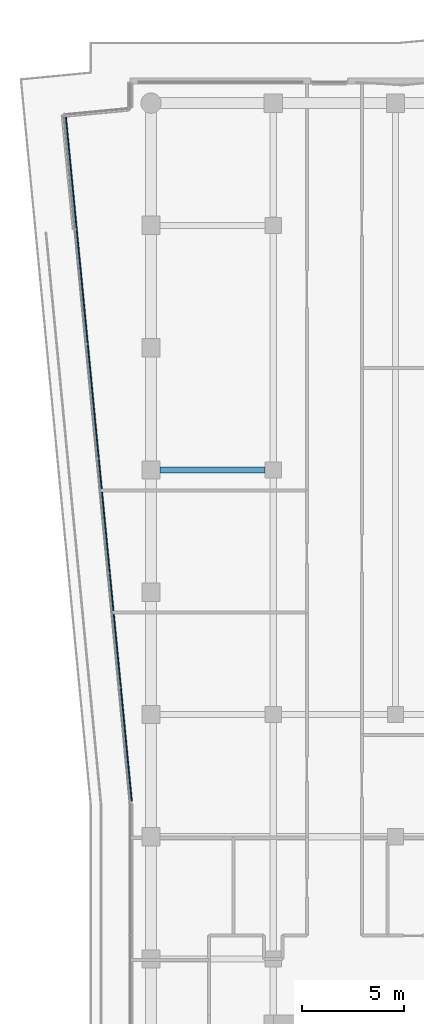
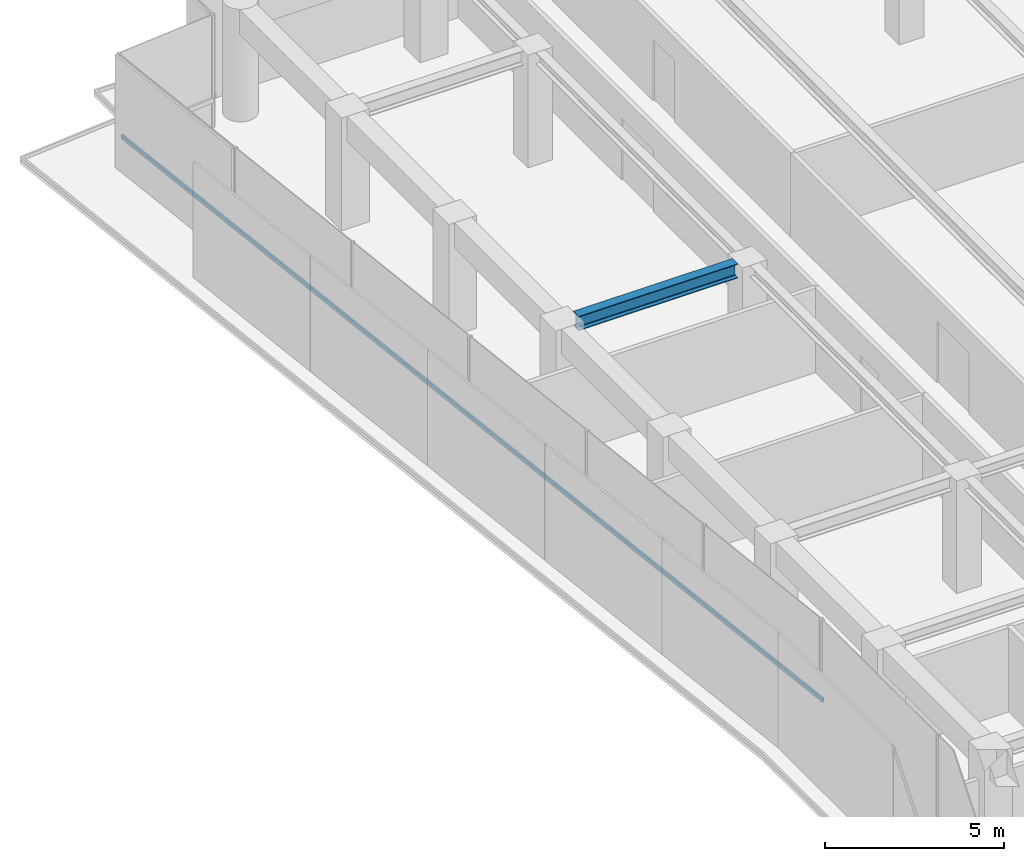
# One storey, part 10 of 23: 1 beam, 1 member, 1 element without a shape of its own.
"""IFC4 building model written with IfcOpenShell, lengths in metres."""

from ifc_helpers import new_model, si_unit, direction, frame, origin, origin_2d, place, context, subcontext, project, spatial, rectangle, i_section, extrude, material, layer, layer_set, material_profile, profile_set, type_object, element, aggregate, save


model = new_model("IFC4")

# Units and contexts
model_context = context("Model", 3, precision=1e-05, world=origin(), true_north=direction((0.0, 1.0)))
body_context = subcontext(model_context, "Body", "Model", "MODEL_VIEW")
ifc_project = project(units=[si_unit("LENGTHUNIT", "METRE"), si_unit("AREAUNIT", "SQUARE_METRE"), si_unit("VOLUMEUNIT", "CUBIC_METRE"), si_unit("PLANEANGLEUNIT", "RADIAN"), si_unit("MASSUNIT", "GRAM", prefix="KILO")], contexts=[model_context])

# Site, building, storey
site_placement = place(None, origin())
site = spatial("IfcSite", under=ifc_project, at=site_placement, CompositionType="ELEMENT")
building_placement = place(site_placement, origin())
building = spatial("IfcBuilding", under=site, at=building_placement, Name="Welwitschia Terrace Campus", CompositionType="ELEMENT")
storey_placement = place(building_placement, frame((0.0, 0.0, 205.39990234375)))
storey = spatial("IfcBuildingStorey", under=building, at=storey_placement, Name="L45", CompositionType="ELEMENT", Elevation=205.39990234375)

# Beam
ifc_material_1 = material(Name="Steel S355", Category="steel")
ifc_material_profile_1 = material_profile(ifc_material_1, i_section(OverallWidth=0.300048828125, OverallDepth=0.489990234375, WebThickness=0.011962890625, FlangeThickness=0.02294921875, FilletRadius=0.027099609375, at=origin_2d()))
ifc_profile_set_1 = profile_set([ifc_material_profile_1], Name="Steel S355")
beam_type = type_object("IfcBeamType", Name="Primary beam HE 500 A", PredefinedType="BEAM", material=ifc_profile_set_1)
beam_placement = place(storey_placement, frame((0.450439453125, 52.0, 3.60498046875), z_axis=(1.0, 0.0, 0.0), x_axis=(0.0, 1.0, 0.0)))
element("IfcBeam", 1, at=beam_placement, inside=storey, type_object=beam_type, Name="Primary beam PB5", PredefinedType="BEAM", context=body_context, shape_type="SweptSolid", body=[
    extrude(i_section(OverallWidth=0.300048828125, OverallDepth=0.489990234375, WebThickness=0.011962890625, FlangeThickness=0.02294921875, FilletRadius=0.027099609375, at=origin_2d()), origin(), (0.0, 0.0, 1.0), 5.149169921875),
])

# Curtain wall, member
ifc_material_2 = material(Name="Bronze anodised aluminium", Category="aluminium")
ifc_layer = layer(ifc_material_2, 0.1201171875)
ifc_layer_set = layer_set([ifc_layer], Name="Bronze anodised aluminium")
curtain_wall_type = type_object("IfcCurtainWallType", Name="Curtain wall CW2 tower 6000", PredefinedType="NOTDEFINED", material=ifc_layer_set)
curtain_wall_placement = place(storey_placement, origin())
curtain_wall = element("IfcCurtainWall", 2, at=curtain_wall_placement, inside=storey, type_object=curtain_wall_type, Name="CW L45.11.0", PredefinedType="NOTDEFINED")
ifc_material_3 = material(Name="Bronze anodised aluminium", Category="aluminium")
ifc_material_profile_2 = material_profile(ifc_material_3, rectangle(XDim=0.06005859375, YDim=0.14990234375, at=origin_2d()))
ifc_profile_set_2 = profile_set([ifc_material_profile_2], Name="Bronze anodised aluminium")
member_type = type_object("IfcMemberType", Name="Transom 60x150", PredefinedType="USERDEFINED", material=ifc_profile_set_2)
member_placement = place(storey_placement, frame((-4.185791015625, 69.38134765625, 1.0), z_axis=(0.095847281792, -0.995396051114, 0.0), x_axis=(0.995396051114, 0.095847281792, 0.0)))
member = element("IfcMember", 3, at=member_placement, type_object=member_type, Name="Transom L45.11.0", ObjectType="TRANSOM", PredefinedType="USERDEFINED", context=body_context, shape_type="SweptSolid", body=[
    extrude(rectangle(XDim=0.06005859375, YDim=0.14990234375, at=origin_2d()), origin(), (0.0, 0.0, 1.0), 33.801025390625),
])
aggregate(curtain_wall, [member])

save(model, "model.ifc")
